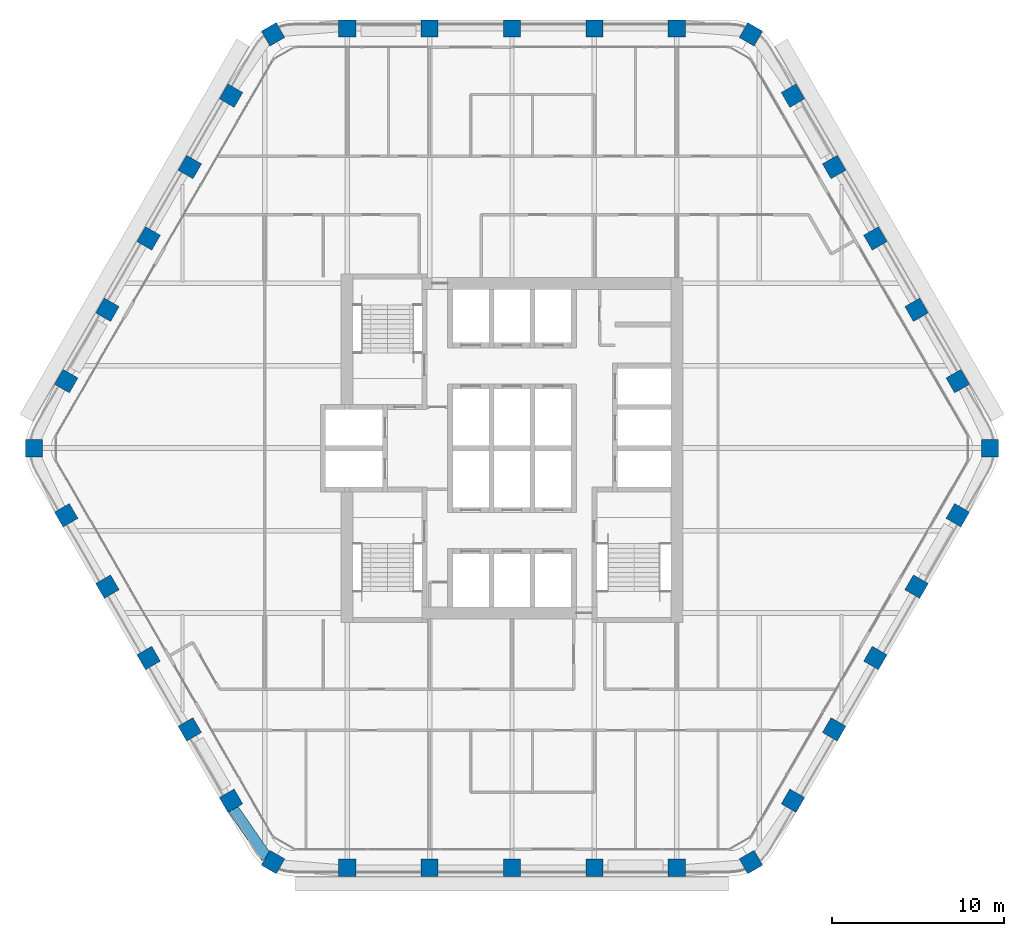
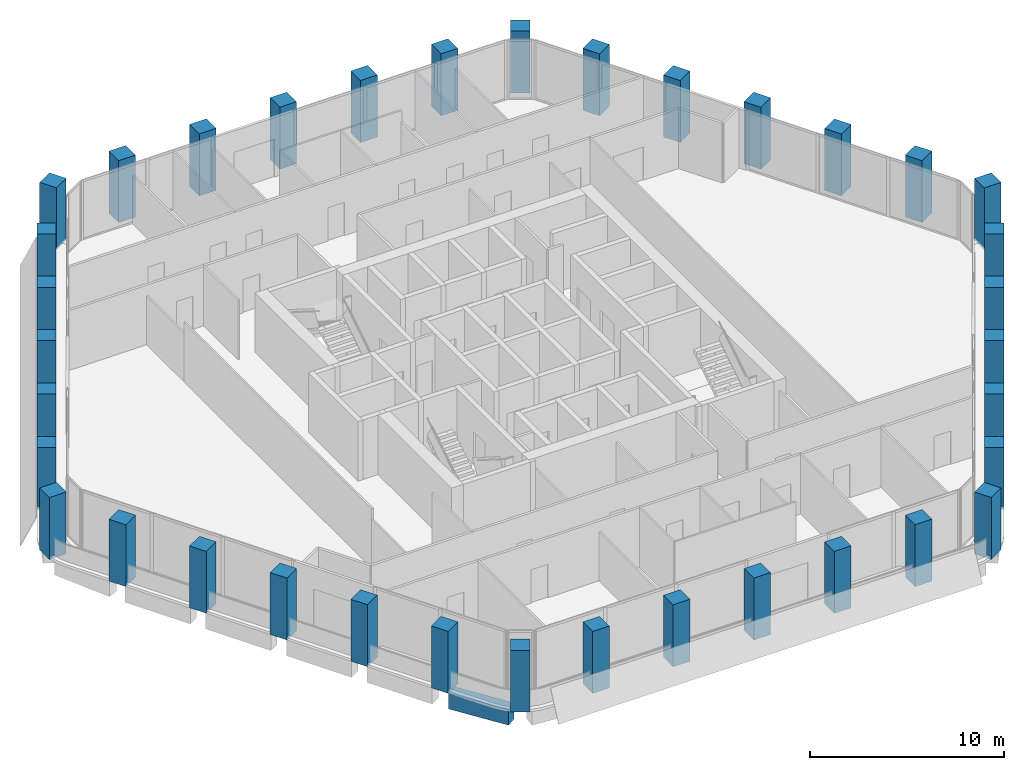
# One storey, part 1 of 15: 36 columns, 1 beam.
"""IFC4 building model written with IfcOpenShell, lengths in metres."""

from ifc_helpers import new_model, si_unit, direction, frame, origin, origin_2d, place, context, subcontext, project, spatial, rectangle, extrude, material, material_profile, profile_set, type_object, element, save


model = new_model("IFC4")

# Units and contexts
model_context = context("Model", 3, precision=1e-05, world=origin(), true_north=direction((0.0, 1.0)))
body_context = subcontext(model_context, "Body", "Model", "MODEL_VIEW")
ifc_project = project(units=[si_unit("LENGTHUNIT", "METRE"), si_unit("AREAUNIT", "SQUARE_METRE"), si_unit("VOLUMEUNIT", "CUBIC_METRE"), si_unit("PLANEANGLEUNIT", "RADIAN"), si_unit("MASSUNIT", "GRAM", prefix="KILO")], contexts=[model_context])

# Site, building, storey
site_placement = place(None, origin())
site = spatial("IfcSite", under=ifc_project, at=site_placement, CompositionType="ELEMENT")
building_placement = place(site_placement, origin())
building = spatial("IfcBuilding", under=site, at=building_placement, Name="Kolab Exchange Tower", CompositionType="ELEMENT")
storey_placement = place(building_placement, frame((0.0, 0.0, 173.89990234375)))
storey = spatial("IfcBuildingStorey", under=building, at=storey_placement, Name="L36", CompositionType="ELEMENT", Elevation=173.89990234375)

# Columns
ifc_material = material(Name="Concrete C60/75", Category="concrete")
ifc_material_profile_1 = material_profile(ifc_material, rectangle(XDim=1.0, YDim=1.0, at=origin_2d()), Name="RC1000")
ifc_profile_set_1 = profile_set([ifc_material_profile_1], Name="Concrete C60/75")
column_type = type_object("IfcColumnType", Name="PERIMETER COLUMN 1000 SQ C60/75", PredefinedType="COLUMN", material=ifc_profile_set_1)
for number, where, z_axis, x_axis, name in (
    (1, (-13.91796875, 24.106689453125, -0.14990234375), (0.0, 0.0, 1.0), (0.866025403784, 0.5, 0.0), "col/L36/F1-01"),
    (2, (-9.60009765625, 24.441650390625, -0.14990234375), (0.0, 0.0, 1.0), (1.0, 0.0, 0.0), "col/L36/F1-02"),
    (3, (-4.800048828125, 24.441650390625, -0.14990234375), (0.0, 0.0, 1.0), (1.0, 0.0, 0.0), "col/L36/F1-03"),
    (4, (0.0, 24.441650390625, -0.14990234375), (0.0, 0.0, 1.0), (1.0, 0.0, 0.0), "col/L36/F1-04"),
    (5, (4.800048828125, 24.441650390625, -0.14990234375), (0.0, 0.0, 1.0), (1.0, 0.0, 0.0), "col/L36/F1-05"),
    (6, (9.60009765625, 24.441650390625, -0.14990234375), (0.0, 0.0, 1.0), (1.0, 0.0, 0.0), "col/L36/F1-06"),
    (7, (13.91796875, 24.106689453125, -0.14990234375), (0.0, 0.0, 1.0), (0.5, 0.866025403784, 0.0), "col/L36/F2-01"),
    (8, (16.366943359375, 20.53466796875, -0.14990234375), (0.0, 0.0, 1.0), (0.866025403784, 0.5, 0.0), "col/L36/F2-02"),
    (9, (18.76708984375, 16.377685546875, -0.14990234375), (0.0, 0.0, 1.0), (0.866025403784, 0.5, 0.0), "col/L36/F2-03"),
    (10, (21.1669921875, 12.220703125, -0.14990234375), (0.0, 0.0, 1.0), (0.866025403784, 0.5, 0.0), "col/L36/F2-04"),
    (11, (23.56689453125, 8.06396484375, -0.14990234375), (0.0, 0.0, 1.0), (0.866025403784, 0.5, 0.0), "col/L36/F2-05"),
    (12, (25.967041015625, 3.906982421875, -0.14990234375), (0.0, 0.0, 1.0), (0.866025403784, 0.5, 0.0), "col/L36/F2-06"),
    (13, (27.8359375, 0.0, -0.14990234375), (0.0, 0.0, 1.0), (1.0, 0.0, 0.0), "col/L36/F3-01"),
    (14, (25.967041015625, -3.906982421875, -0.14990234375), (0.0, 0.0, 1.0), (0.5, 0.866025403784, 0.0), "col/L36/F3-02"),
    (15, (23.56689453125, -8.06396484375, -0.14990234375), (0.0, 0.0, 1.0), (0.5, 0.866025403784, 0.0), "col/L36/F3-03"),
    (16, (21.1669921875, -12.220703125, -0.14990234375), (0.0, 0.0, 1.0), (0.5, 0.866025403784, 0.0), "col/L36/F3-04"),
    (17, (18.76708984375, -16.377685546875, -0.14990234375), (0.0, 0.0, 1.0), (0.5, 0.866025403784, 0.0), "col/L36/F3-05"),
    (18, (16.366943359375, -20.53466796875, -0.14990234375), (0.0, 0.0, 1.0), (0.5, 0.866025403784, 0.0), "col/L36/F3-06"),
    (19, (13.91796875, -24.106689453125, -0.14990234375), (0.0, 0.0, 1.0), (0.866025403784, 0.5, 0.0), "col/L36/F4-01"),
    (20, (9.60009765625, -24.441650390625, -0.14990234375), (0.0, 0.0, 1.0), (1.0, 0.0, 0.0), "col/L36/F4-02"),
    (21, (4.800048828125, -24.441650390625, -0.14990234375), (0.0, 0.0, 1.0), (1.0, 0.0, 0.0), "col/L36/F4-03"),
    (22, (0.0, -24.441650390625, -0.14990234375), (0.0, 0.0, 1.0), (1.0, 0.0, 0.0), "col/L36/F4-04"),
    (23, (-4.800048828125, -24.441650390625, -0.14990234375), (0.0, 0.0, 1.0), (1.0, 0.0, 0.0), "col/L36/F4-05"),
    (24, (-9.60009765625, -24.441650390625, -0.14990234375), (0.0, 0.0, 1.0), (1.0, 0.0, 0.0), "col/L36/F4-06"),
    (25, (-13.91796875, -24.106689453125, -0.14990234375), (0.0, 0.0, 1.0), (0.5, 0.866025403784, 0.0), "col/L36/F5-01"),
    (26, (-16.366943359375, -20.53466796875, -0.14990234375), (0.0, 0.0, 1.0), (0.866025403784, 0.5, 0.0), "col/L36/F5-02"),
    (27, (-18.76708984375, -16.377685546875, -0.14990234375), (0.0, 0.0, 1.0), (0.866025403784, 0.5, 0.0), "col/L36/F5-03"),
    (28, (-21.1669921875, -12.220703125, -0.14990234375), (0.0, 0.0, 1.0), (0.866025403784, 0.5, 0.0), "col/L36/F5-04"),
    (29, (-23.56689453125, -8.06396484375, -0.14990234375), (0.0, 0.0, 1.0), (0.866025403784, 0.5, 0.0), "col/L36/F5-05"),
    (30, (-25.967041015625, -3.906982421875, -0.14990234375), (0.0, 0.0, 1.0), (0.866025403784, 0.5, 0.0), "col/L36/F5-06"),
    (31, (-27.8359375, 0.0, -0.14990234375), (0.0, 0.0, 1.0), (1.0, 0.0, 0.0), "col/L36/F6-01"),
    (32, (-25.967041015625, 3.906982421875, -0.14990234375), (0.0, 0.0, 1.0), (0.5, 0.866025403784, 0.0), "col/L36/F6-02"),
    (33, (-23.56689453125, 8.06396484375, -0.14990234375), (0.0, 0.0, 1.0), (0.5, 0.866025403784, 0.0), "col/L36/F6-03"),
    (34, (-21.1669921875, 12.220703125, -0.14990234375), (0.0, 0.0, 1.0), (0.5, 0.866025403784, 0.0), "col/L36/F6-04"),
    (35, (-18.76708984375, 16.377685546875, -0.14990234375), (0.0, 0.0, 1.0), (0.5, 0.866025403784, 0.0), "col/L36/F6-05"),
    (36, (-16.366943359375, 20.53466796875, -0.14990234375), (0.0, 0.0, 1.0), (0.5, 0.866025403784, 0.0), "col/L36/F6-06"),
):
    element("IfcColumn", number, at=place(storey_placement, frame(where, z_axis=z_axis, x_axis=x_axis)), inside=storey, type_object=column_type, Name=name, PredefinedType="COLUMN", context=body_context, shape_type="SweptSolid", body=[
        extrude(rectangle(XDim=1.0, YDim=1.0, at=origin_2d()), origin(), (0.0, 0.0, 1.0), 3.89990234375),
    ])

# Beam
ifc_material_profile_2 = material_profile(ifc_material, rectangle(XDim=0.64990234375, YDim=1.0, at=origin_2d()), Name="RC650X1000")
ifc_profile_set_2 = profile_set([ifc_material_profile_2], Name="Concrete C60/75")
beam_type = type_object("IfcBeamType", Name="SPANDREL BEAM 650X1000 C60/75", PredefinedType="BEAM", material=ifc_profile_set_2)
beam_placement = place(storey_placement, frame((-14.29736328125, -23.8359375, -0.64990234375), z_axis=(-0.568572281073, 0.822633309073, 0.0), x_axis=(-0.822633309073, -0.568572281073, 0.0)))
element("IfcBeam", 37, at=beam_placement, inside=storey, type_object=beam_type, Name="beam/L36/sp/F5-01", PredefinedType="BEAM", context=body_context, shape_type="SweptSolid", body=[
    extrude(rectangle(XDim=0.64990234375, YDim=1.0, at=origin_2d()), origin(), (0.0, 0.0, 1.0), 3.445068359375),
])

save(model, "model.ifc")
